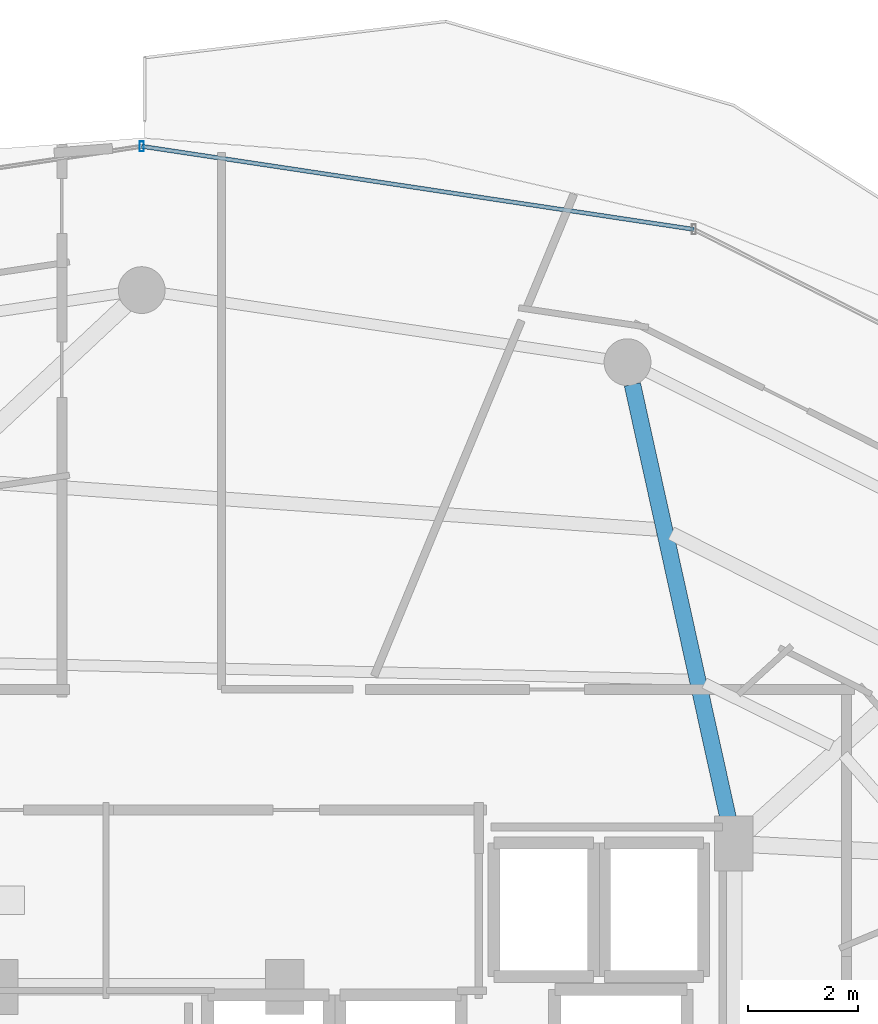
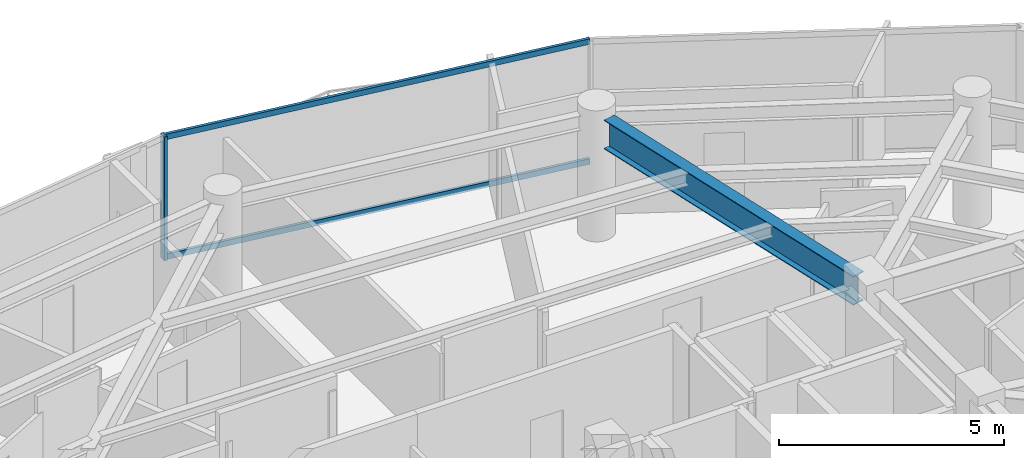
# One storey, part 21 of 32: 3 members, 1 beam, 1 element without a shape of its own.
"""IFC4 building model written with IfcOpenShell, lengths in metres."""

from ifc_helpers import new_model, si_unit, direction, frame, origin, origin_2d, place, context, subcontext, project, spatial, hollow_rectangle, i_section, extrude, material, material_profile, profile_set, type_object, element, aggregate, save


model = new_model("IFC4")

# Units and contexts
model_context = context("Model", 3, precision=1e-05, world=origin(), true_north=direction((0.0, 1.0)))
body_context = subcontext(model_context, "Body", "Model", "MODEL_VIEW")
ifc_project = project(units=[si_unit("LENGTHUNIT", "METRE"), si_unit("AREAUNIT", "SQUARE_METRE"), si_unit("VOLUMEUNIT", "CUBIC_METRE"), si_unit("PLANEANGLEUNIT", "RADIAN"), si_unit("MASSUNIT", "GRAM", prefix="KILO")], contexts=[model_context])

# Site, building, storey
site_placement = place(None, origin())
site = spatial("IfcSite", under=ifc_project, at=site_placement, CompositionType="ELEMENT")
building_placement = place(site_placement, origin())
building = spatial("IfcBuilding", under=site, at=building_placement, Name="Vorneva Point Tower", CompositionType="ELEMENT")
storey_placement = place(building_placement, frame((0.0, 0.0, 269.75)))
storey = spatial("IfcBuildingStorey", under=building, at=storey_placement, Name="L73", CompositionType="ELEMENT", Elevation=269.75)

# Beam
ifc_material_1 = material(Name="Steel S355", Category="steel")
ifc_material_profile_1 = material_profile(ifc_material_1, i_section(OverallWidth=0.300048828125, OverallDepth=0.7880859375, WebThickness=0.014404296875, FlangeThickness=0.02197265625, at=origin_2d()), Name="80Sh1")
ifc_profile_set_1 = profile_set([ifc_material_profile_1], Name="Steel S355")
beam_type = type_object("IfcBeamType", Name="BM-GRD-80Sh1", PredefinedType="USERDEFINED", material=ifc_profile_set_1)
beam_placement = place(storey_placement, frame((46.909912109375, 41.4873046875, 2.89599609375), z_axis=(0.215520742957, -0.976499262342, 0.0), x_axis=(0.976499262342, 0.215520742957, 0.0)))
element("IfcBeam", 1, at=beam_placement, inside=storey, type_object=beam_type, Name="L73 Radial Primary Girder 04", ObjectType="GIRDER", PredefinedType="USERDEFINED", context=body_context, shape_type="SweptSolid", body=[
    extrude(i_section(OverallWidth=0.300048828125, OverallDepth=0.7880859375, WebThickness=0.014404296875, FlangeThickness=0.02197265625, at=origin_2d()), origin(), (0.0, 0.0, 1.0), 8.197998046875),
])

# Curtain wall, members
ifc_material_2 = material(Name="Pale anodised aluminium", Category="aluminium")
curtain_wall_type = type_object("IfcCurtainWallType", Name="CW-RES-SYS", PredefinedType="NOTDEFINED", material=ifc_material_2)
curtain_wall_placement = place(storey_placement, origin())
curtain_wall = element("IfcCurtainWall", 2, at=curtain_wall_placement, inside=storey, type_object=curtain_wall_type, Name="L73 Unitised Curtain Wall CW-L73-R02", PredefinedType="NOTDEFINED")
ifc_material_profile_2 = material_profile(ifc_material_2, hollow_rectangle(XDim=0.074951171875, YDim=0.179931640625, WallThickness=0.00390625, at=origin_2d()), Name="AL-MUL 180x75x4")
ifc_profile_set_2 = profile_set([ifc_material_profile_2], Name="Pale anodised aluminium")
member_type_1 = type_object("IfcMemberType", Name="CW-MUL-180", PredefinedType="MULLION", material=ifc_profile_set_2)
member_1_placement = place(storey_placement, frame((38.0, 45.81005859375, -0.0400390625), z_axis=(0.0, 0.0, 1.0), x_axis=(1.0, 0.0, 0.0)))
member_1 = element("IfcMember", 3, at=member_1_placement, type_object=member_type_1, Name="CW-L73-R02 Mullion 03", PredefinedType="MULLION", context=body_context, shape_type="SweptSolid", body=[
    extrude(hollow_rectangle(XDim=0.074951171875, YDim=0.179931640625, WallThickness=0.00390625, at=origin_2d()), origin(), (0.0, 0.0, 1.0), 3.360107421875),
])
ifc_material_profile_3 = material_profile(ifc_material_2, hollow_rectangle(XDim=0.074951171875, YDim=0.14990234375, WallThickness=0.00390625, at=origin_2d()), Name="AL-TRN 150x75x4")
ifc_profile_set_3 = profile_set([ifc_material_profile_3], Name="Pale anodised aluminium")
member_type_2 = type_object("IfcMemberType", Name="CW-TRN-150", PredefinedType="USERDEFINED", material=ifc_profile_set_3)
member_2_placement = place(storey_placement, frame((48.0263671875, 44.302001953125, 0.02001953125), z_axis=(-0.988876929856, 0.148736066907, 0.0), x_axis=(-0.148736066907, -0.988876929856, 0.0)))
member_2 = element("IfcMember", 4, at=member_2_placement, type_object=member_type_2, Name="CW-L73-R02 Transom 02.1", ObjectType="TRANSOM", PredefinedType="USERDEFINED", context=body_context, shape_type="SweptSolid", body=[
    extrude(hollow_rectangle(XDim=0.074951171875, YDim=0.14990234375, WallThickness=0.00390625, at=origin_2d()), origin(), (0.0, 0.0, 1.0), 10.13916015625),
])
member_3_placement = place(storey_placement, frame((48.0263671875, 44.302001953125, 3.27001953125), z_axis=(-0.988876929856, 0.148736066907, 0.0), x_axis=(-0.148736066907, -0.988876929856, 0.0)))
member_3 = element("IfcMember", 5, at=member_3_placement, type_object=member_type_2, Name="CW-L73-R02 Transom 02.2", ObjectType="TRANSOM", PredefinedType="USERDEFINED", context=body_context, shape_type="SweptSolid", body=[
    extrude(hollow_rectangle(XDim=0.074951171875, YDim=0.14990234375, WallThickness=0.00390625, at=origin_2d()), origin(), (0.0, 0.0, 1.0), 10.13916015625),
])
aggregate(curtain_wall, [member_1, member_2, member_3])

save(model, "model.ifc")
